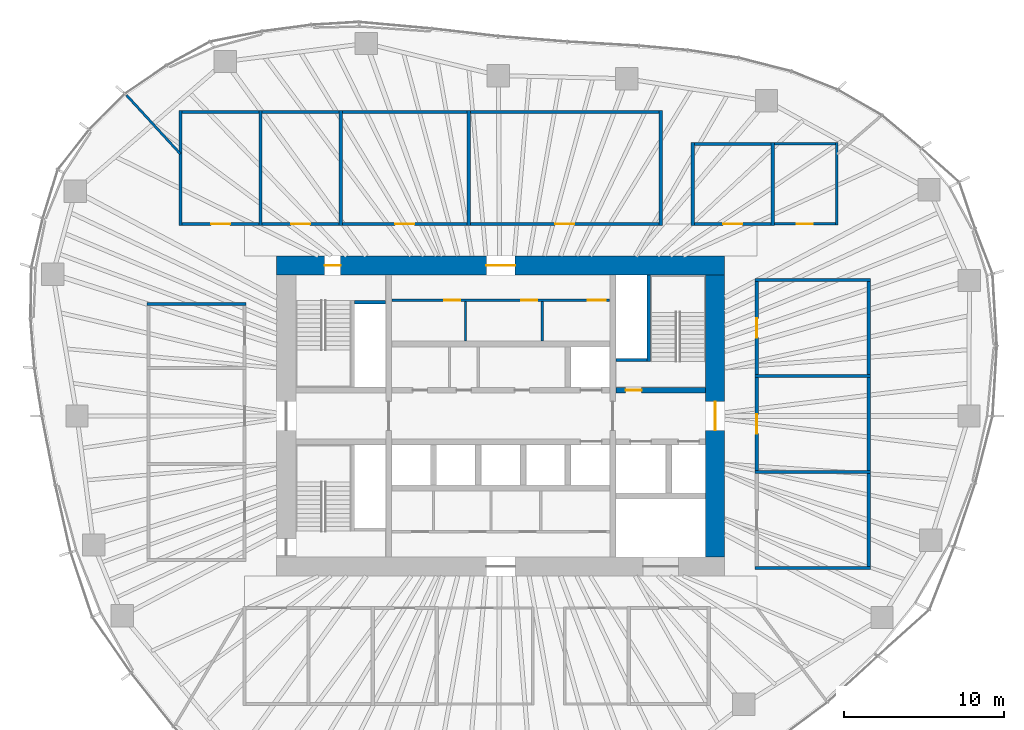
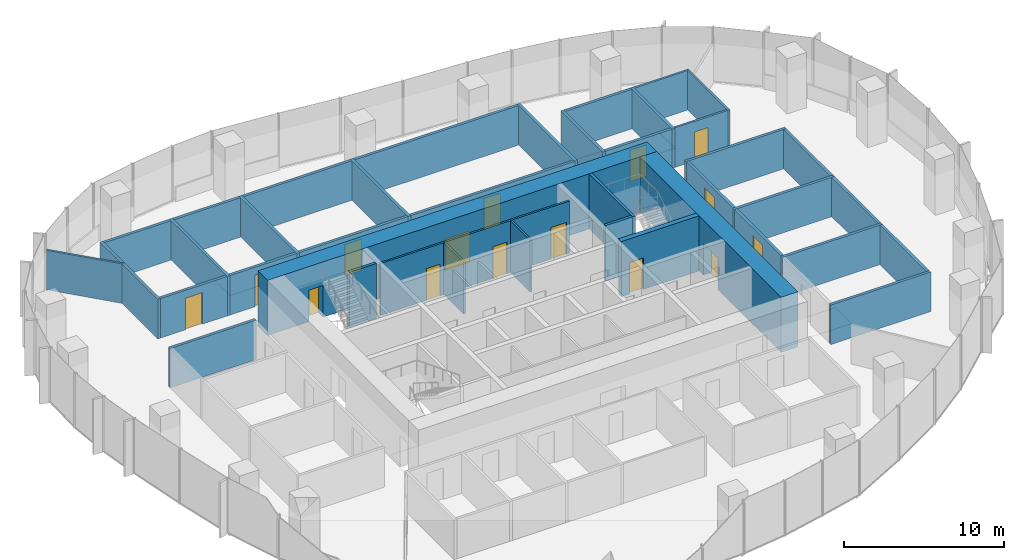
# One storey, part 10 of 18: 40 walls, 15 doors, 15 openings.
"""IFC4 building model written with IfcOpenShell, lengths in metres."""

from ifc_helpers import new_model, si_unit, direction, frame, frame_2d, origin, place, context, subcontext, project, spatial, rectangle, extrude, material, layer, layer_set, type_object, element, fill, save


model = new_model("IFC4")

# Units and contexts
model_context = context("Model", 3, precision=1e-05, world=origin(), true_north=direction((0.0, 1.0)))
body_context = subcontext(model_context, "Body", "Model", "MODEL_VIEW")
ifc_project = project(units=[si_unit("LENGTHUNIT", "METRE"), si_unit("AREAUNIT", "SQUARE_METRE"), si_unit("VOLUMEUNIT", "CUBIC_METRE"), si_unit("PLANEANGLEUNIT", "RADIAN"), si_unit("MASSUNIT", "GRAM", prefix="KILO")], contexts=[model_context])

# Site, building, storey
site_placement = place(None, origin())
site = spatial("IfcSite", under=ifc_project, at=site_placement, CompositionType="ELEMENT")
building_placement = place(site_placement, origin())
building = spatial("IfcBuilding", under=site, at=building_placement, Name="Ghaith Harvest Tower", CompositionType="ELEMENT")
storey_placement = place(building_placement, frame((0.0, 0.0, 180.60009765625)))
storey = spatial("IfcBuildingStorey", under=building, at=storey_placement, Name="L39", CompositionType="ELEMENT", Elevation=180.60009765625)

# Walls
ifc_material_1 = material(Name="Twin-stud gypsum board, acoustic", Category="gypsum")
ifc_layer_1 = layer(ifc_material_1, 0.199951171875)
ifc_layer_set_1 = layer_set([ifc_layer_1], Name="ACOUSTIC PARTITION 200")
wall_type_1 = type_object("IfcWallType", Name="ACOUSTIC PARTITION 200", PredefinedType="PARTITIONING", material=ifc_layer_set_1)
for number, where, z_axis, x_axis, name in (
    (1, (-20.0, 11.89990234375, 0.0), (0.0, 0.0, 1.0), (0.0, 1.0, 0.0), "Partition L39 row N1 cross wall 1"),
    (2, (-15.0, 11.89990234375, 0.0), (0.0, 0.0, 1.0), (0.0, 1.0, 0.0), "Partition L39 row N1 cross wall 2"),
    (3, (-10.0, 11.89990234375, 0.0), (0.0, 0.0, 1.0), (0.0, 1.0, 0.0), "Partition L39 row N1 cross wall 3"),
    (4, (-2.0, 11.89990234375, 0.0), (0.0, 0.0, 1.0), (0.0, 1.0, 0.0), "Partition L39 row N1 cross wall 4"),
    (5, (10.0, 11.89990234375, 0.0), (0.0, 0.0, 1.0), (0.0, 1.0, 0.0), "Partition L39 row N1 cross wall 5"),
):
    element("IfcWall", number, at=place(storey_placement, frame(where, z_axis=z_axis, x_axis=x_axis)), inside=storey, type_object=wall_type_1, Name=name, PredefinedType="PARTITIONING", context=body_context, shape_type="SweptSolid", body=[
        extrude(rectangle(XDim=7.2001953125, YDim=0.199951171875, at=frame_2d((3.60009765625, 0.0))), origin(), (0.0, 0.0, 1.0), 3.0),
    ])

# Wall, opening, door
wall_1_placement = place(storey_placement, frame((-19.89990234375, 12.0, 0.0), z_axis=(0.0, 0.0, 1.0), x_axis=(1.0, 0.0, 0.0)))
wall_1 = element("IfcWall", 6, at=wall_1_placement, inside=storey, type_object=wall_type_1, Name="Partition L39-01", PredefinedType="PARTITIONING", context=body_context, shape_type="SweptSolid", body=[
    extrude(rectangle(XDim=4.7998046875, YDim=0.199951171875, at=frame_2d((2.39990234375, 0.0))), origin(), (0.0, 0.0, 1.0), 3.0),
])
opening_1_placement = place(wall_1_placement, frame((1.800048828125, 0.0, 0.0)))
opening_1 = element("IfcOpeningElement", 7, at=opening_1_placement, cuts=wall_1, Name="Opening 39-025", PredefinedType="OPENING", context=body_context, shape_type="SweptSolid", body=[
    extrude(rectangle(XDim=1.199951171875, YDim=2.39990234375, at=frame_2d((0.60009765625, 1.199951171875))), frame((0.0, 0.10986328125, 0.0), z_axis=(0.0, -1.0, 0.0), x_axis=(1.0, 0.0, 0.0)), (0.0, 0.0, 1.0), 0.219970703125),
])
ifc_material_2 = material(Name="Timber door", Category="wood")
door_type_1 = type_object("IfcDoorType", Name="D11 GLAZED 1200x2400", OperationType="SINGLE_SWING_LEFT", PredefinedType="DOOR", material=ifc_material_2)
door_1_placement = place(opening_1_placement, origin())
door_1 = element("IfcDoor", 8, at=door_1_placement, inside=storey, type_object=door_type_1, Name="Meeting room door", OperationType="SINGLE_SWING_LEFT", OverallHeight=2.39990234375, OverallWidth=1.199951171875, PredefinedType="DOOR", context=body_context, shape_type="SweptSolid", body=[
    extrude(rectangle(XDim=1.199951171875, YDim=2.39990234375, at=frame_2d((0.60009765625, 1.199951171875))), frame((0.0, 0.02490234375, 0.0), z_axis=(0.0, -1.0, 0.0), x_axis=(1.0, 0.0, 0.0)), (0.0, 0.0, 1.0), 0.050048828125),
])
fill(opening_1, door_1)

# Wall
wall_2_placement = place(storey_placement, frame((-19.89990234375, 19.0, 0.0), z_axis=(0.0, 0.0, 1.0), x_axis=(1.0, 0.0, 0.0)))
element("IfcWall", 9, at=wall_2_placement, inside=storey, type_object=wall_type_1, Name="Partition L39-01", PredefinedType="PARTITIONING", context=body_context, shape_type="SweptSolid", body=[
    extrude(rectangle(XDim=4.7998046875, YDim=0.199951171875, at=frame_2d((2.39990234375, 0.0))), origin(), (0.0, 0.0, 1.0), 3.0),
])

# Wall, opening, door
wall_3_placement = place(storey_placement, frame((-14.89990234375, 12.0, 0.0), z_axis=(0.0, 0.0, 1.0), x_axis=(1.0, 0.0, 0.0)))
wall_3 = element("IfcWall", 10, at=wall_3_placement, inside=storey, type_object=wall_type_1, Name="Partition L39-02", PredefinedType="PARTITIONING", context=body_context, shape_type="SweptSolid", body=[
    extrude(rectangle(XDim=4.7998046875, YDim=0.199951171875, at=frame_2d((2.39990234375, 0.0))), origin(), (0.0, 0.0, 1.0), 3.0),
])
opening_2_placement = place(wall_3_placement, frame((1.800048828125, 0.0, 0.0)))
opening_2 = element("IfcOpeningElement", 11, at=opening_2_placement, cuts=wall_3, Name="Opening 39-026", PredefinedType="OPENING", context=body_context, shape_type="SweptSolid", body=[
    extrude(rectangle(XDim=1.199951171875, YDim=2.39990234375, at=frame_2d((0.60009765625, 1.199951171875))), frame((0.0, 0.10986328125, 0.0), z_axis=(0.0, -1.0, 0.0), x_axis=(1.0, 0.0, 0.0)), (0.0, 0.0, 1.0), 0.219970703125),
])
door_2_placement = place(opening_2_placement, origin())
door_2 = element("IfcDoor", 12, at=door_2_placement, inside=storey, type_object=door_type_1, Name="Meeting room door", OperationType="SINGLE_SWING_LEFT", OverallHeight=2.39990234375, OverallWidth=1.199951171875, PredefinedType="DOOR", context=body_context, shape_type="SweptSolid", body=[
    extrude(rectangle(XDim=1.199951171875, YDim=2.39990234375, at=frame_2d((0.60009765625, 1.199951171875))), frame((0.0, 0.02490234375, 0.0), z_axis=(0.0, -1.0, 0.0), x_axis=(1.0, 0.0, 0.0)), (0.0, 0.0, 1.0), 0.050048828125),
])
fill(opening_2, door_2)

# Wall
wall_4_placement = place(storey_placement, frame((-14.89990234375, 19.0, 0.0), z_axis=(0.0, 0.0, 1.0), x_axis=(1.0, 0.0, 0.0)))
element("IfcWall", 13, at=wall_4_placement, inside=storey, type_object=wall_type_1, Name="Partition L39-02", PredefinedType="PARTITIONING", context=body_context, shape_type="SweptSolid", body=[
    extrude(rectangle(XDim=4.7998046875, YDim=0.199951171875, at=frame_2d((2.39990234375, 0.0))), origin(), (0.0, 0.0, 1.0), 3.0),
])

# Wall, opening, door
wall_5_placement = place(storey_placement, frame((-9.89990234375, 12.0, 0.0), z_axis=(0.0, 0.0, 1.0), x_axis=(1.0, 0.0, 0.0)))
wall_5 = element("IfcWall", 14, at=wall_5_placement, inside=storey, type_object=wall_type_1, Name="Partition L39-03", PredefinedType="PARTITIONING", context=body_context, shape_type="SweptSolid", body=[
    extrude(rectangle(XDim=7.7998046875, YDim=0.199951171875, at=frame_2d((3.89990234375, 0.0))), origin(), (0.0, 0.0, 1.0), 3.0),
])
opening_3_placement = place(wall_5_placement, frame((3.300048828125, 0.0, 0.0)))
opening_3 = element("IfcOpeningElement", 15, at=opening_3_placement, cuts=wall_5, Name="Opening 39-027", PredefinedType="OPENING", context=body_context, shape_type="SweptSolid", body=[
    extrude(rectangle(XDim=1.199951171875, YDim=2.39990234375, at=frame_2d((0.60009765625, 1.199951171875))), frame((0.0, 0.10986328125, 0.0), z_axis=(0.0, -1.0, 0.0), x_axis=(1.0, 0.0, 0.0)), (0.0, 0.0, 1.0), 0.219970703125),
])
door_3_placement = place(opening_3_placement, origin())
door_3 = element("IfcDoor", 16, at=door_3_placement, inside=storey, type_object=door_type_1, Name="Meeting room door", OperationType="SINGLE_SWING_LEFT", OverallHeight=2.39990234375, OverallWidth=1.199951171875, PredefinedType="DOOR", context=body_context, shape_type="SweptSolid", body=[
    extrude(rectangle(XDim=1.199951171875, YDim=2.39990234375, at=frame_2d((0.60009765625, 1.199951171875))), frame((0.0, 0.02490234375, 0.0), z_axis=(0.0, -1.0, 0.0), x_axis=(1.0, 0.0, 0.0)), (0.0, 0.0, 1.0), 0.050048828125),
])
fill(opening_3, door_3)

# Wall
wall_6_placement = place(storey_placement, frame((-9.89990234375, 19.0, 0.0), z_axis=(0.0, 0.0, 1.0), x_axis=(1.0, 0.0, 0.0)))
element("IfcWall", 17, at=wall_6_placement, inside=storey, type_object=wall_type_1, Name="Partition L39-03", PredefinedType="PARTITIONING", context=body_context, shape_type="SweptSolid", body=[
    extrude(rectangle(XDim=7.7998046875, YDim=0.199951171875, at=frame_2d((3.89990234375, 0.0))), origin(), (0.0, 0.0, 1.0), 3.0),
])

# Wall, opening, door
wall_7_placement = place(storey_placement, frame((-1.89990234375, 12.0, 0.0), z_axis=(0.0, 0.0, 1.0), x_axis=(1.0, 0.0, 0.0)))
wall_7 = element("IfcWall", 18, at=wall_7_placement, inside=storey, type_object=wall_type_1, Name="Partition L39-04", PredefinedType="PARTITIONING", context=body_context, shape_type="SweptSolid", body=[
    extrude(rectangle(XDim=11.7998046875, YDim=0.199951171875, at=frame_2d((5.89990234375, 0.0))), origin(), (0.0, 0.0, 1.0), 3.0),
])
opening_4_placement = place(wall_7_placement, frame((5.300048828125, 0.0, 0.0)))
opening_4 = element("IfcOpeningElement", 19, at=opening_4_placement, cuts=wall_7, Name="Opening 39-028", PredefinedType="OPENING", context=body_context, shape_type="SweptSolid", body=[
    extrude(rectangle(XDim=1.199951171875, YDim=2.39990234375, at=frame_2d((0.60009765625, 1.199951171875))), frame((0.0, 0.10986328125, 0.0), z_axis=(0.0, -1.0, 0.0), x_axis=(1.0, 0.0, 0.0)), (0.0, 0.0, 1.0), 0.219970703125),
])
door_4_placement = place(opening_4_placement, origin())
door_4 = element("IfcDoor", 20, at=door_4_placement, inside=storey, type_object=door_type_1, Name="Boardroom door", OperationType="SINGLE_SWING_LEFT", OverallHeight=2.39990234375, OverallWidth=1.199951171875, PredefinedType="DOOR", context=body_context, shape_type="SweptSolid", body=[
    extrude(rectangle(XDim=1.199951171875, YDim=2.39990234375, at=frame_2d((0.60009765625, 1.199951171875))), frame((0.0, 0.02490234375, 0.0), z_axis=(0.0, -1.0, 0.0), x_axis=(1.0, 0.0, 0.0)), (0.0, 0.0, 1.0), 0.050048828125),
])
fill(opening_4, door_4)

# Walls
wall_8_placement = place(storey_placement, frame((-1.89990234375, 19.0, 0.0), z_axis=(0.0, 0.0, 1.0), x_axis=(1.0, 0.0, 0.0)))
element("IfcWall", 21, at=wall_8_placement, inside=storey, type_object=wall_type_1, Name="Partition L39-04", PredefinedType="PARTITIONING", context=body_context, shape_type="SweptSolid", body=[
    extrude(rectangle(XDim=11.7998046875, YDim=0.199951171875, at=frame_2d((5.89990234375, 0.0))), origin(), (0.0, 0.0, 1.0), 3.0),
])
for number, where, z_axis, x_axis, name in (
    (22, (15.89990234375, -9.5, 0.0), (0.0, 0.0, 1.0), (1.0, 0.0, 0.0), "Partition L39 row E2 cross wall 1"),
    (23, (15.89990234375, -3.5, 0.0), (0.0, 0.0, 1.0), (1.0, 0.0, 0.0), "Partition L39 row E2 cross wall 2"),
    (24, (15.89990234375, 2.5, 0.0), (0.0, 0.0, 1.0), (1.0, 0.0, 0.0), "Partition L39 row E2 cross wall 3"),
    (25, (15.89990234375, 8.5, 0.0), (0.0, 0.0, 1.0), (1.0, 0.0, 0.0), "Partition L39 row E2 cross wall 4"),
):
    element("IfcWall", number, at=place(storey_placement, frame(where, z_axis=z_axis, x_axis=x_axis)), inside=storey, type_object=wall_type_1, Name=name, PredefinedType="PARTITIONING", context=body_context, shape_type="SweptSolid", body=[
        extrude(rectangle(XDim=7.2001953125, YDim=0.199951171875, at=frame_2d((3.60009765625, 0.0))), origin(), (0.0, 0.0, 1.0), 3.0),
    ])
wall_9_placement = place(storey_placement, frame((23.0, -9.39990234375, 0.0), z_axis=(0.0, 0.0, 1.0), x_axis=(0.0, 1.0, 0.0)))
element("IfcWall", 26, at=wall_9_placement, inside=storey, type_object=wall_type_1, Name="Partition L39-05", PredefinedType="PARTITIONING", context=body_context, shape_type="SweptSolid", body=[
    extrude(rectangle(XDim=5.7998046875, YDim=0.199951171875, at=frame_2d((2.89990234375, 0.0))), origin(), (0.0, 0.0, 1.0), 3.0),
])

# Wall, opening, door
wall_10_placement = place(storey_placement, frame((16.0, -3.39990234375, 0.0), z_axis=(0.0, 0.0, 1.0), x_axis=(0.0, 1.0, 0.0)))
wall_10 = element("IfcWall", 27, at=wall_10_placement, inside=storey, type_object=wall_type_1, Name="Partition L39-06", PredefinedType="PARTITIONING", context=body_context, shape_type="SweptSolid", body=[
    extrude(rectangle(XDim=5.7998046875, YDim=0.199951171875, at=frame_2d((2.89990234375, 0.0))), origin(), (0.0, 0.0, 1.0), 3.0),
])
opening_5_placement = place(wall_10_placement, frame((2.300048828125, 0.0, 0.0)))
opening_5 = element("IfcOpeningElement", 28, at=opening_5_placement, cuts=wall_10, Name="Opening 39-030", PredefinedType="OPENING", context=body_context, shape_type="SweptSolid", body=[
    extrude(rectangle(XDim=1.199951171875, YDim=2.39990234375, at=frame_2d((0.60009765625, 1.199951171875))), frame((0.0, 0.10986328125, 0.0), z_axis=(0.0, -1.0, 0.0), x_axis=(1.0, 0.0, 0.0)), (0.0, 0.0, 1.0), 0.219970703125),
])
door_5_placement = place(opening_5_placement, origin())
door_5 = element("IfcDoor", 29, at=door_5_placement, inside=storey, type_object=door_type_1, Name="Meeting room door", OperationType="SINGLE_SWING_LEFT", OverallHeight=2.39990234375, OverallWidth=1.199951171875, PredefinedType="DOOR", context=body_context, shape_type="SweptSolid", body=[
    extrude(rectangle(XDim=1.199951171875, YDim=2.39990234375, at=frame_2d((0.60009765625, 1.199951171875))), frame((0.0, 0.02490234375, 0.0), z_axis=(0.0, -1.0, 0.0), x_axis=(1.0, 0.0, 0.0)), (0.0, 0.0, 1.0), 0.050048828125),
])
fill(opening_5, door_5)

# Wall
wall_11_placement = place(storey_placement, frame((23.0, -3.39990234375, 0.0), z_axis=(0.0, 0.0, 1.0), x_axis=(0.0, 1.0, 0.0)))
element("IfcWall", 30, at=wall_11_placement, inside=storey, type_object=wall_type_1, Name="Partition L39-06", PredefinedType="PARTITIONING", context=body_context, shape_type="SweptSolid", body=[
    extrude(rectangle(XDim=5.7998046875, YDim=0.199951171875, at=frame_2d((2.89990234375, 0.0))), origin(), (0.0, 0.0, 1.0), 3.0),
])

# Wall, opening, door
wall_12_placement = place(storey_placement, frame((16.0, 2.60009765625, 0.0), z_axis=(0.0, 0.0, 1.0), x_axis=(0.0, 1.0, 0.0)))
wall_12 = element("IfcWall", 31, at=wall_12_placement, inside=storey, type_object=wall_type_1, Name="Partition L39-07", PredefinedType="PARTITIONING", context=body_context, shape_type="SweptSolid", body=[
    extrude(rectangle(XDim=5.7998046875, YDim=0.199951171875, at=frame_2d((2.89990234375, 0.0))), origin(), (0.0, 0.0, 1.0), 3.0),
])
opening_6_placement = place(wall_12_placement, frame((2.300048828125, 0.0, 0.0)))
opening_6 = element("IfcOpeningElement", 32, at=opening_6_placement, cuts=wall_12, Name="Opening 39-031", PredefinedType="OPENING", context=body_context, shape_type="SweptSolid", body=[
    extrude(rectangle(XDim=1.199951171875, YDim=2.39990234375, at=frame_2d((0.60009765625, 1.199951171875))), frame((0.0, 0.10986328125, 0.0), z_axis=(0.0, -1.0, 0.0), x_axis=(1.0, 0.0, 0.0)), (0.0, 0.0, 1.0), 0.219970703125),
])
door_6_placement = place(opening_6_placement, origin())
door_6 = element("IfcDoor", 33, at=door_6_placement, inside=storey, type_object=door_type_1, Name="Meeting room door", OperationType="SINGLE_SWING_LEFT", OverallHeight=2.39990234375, OverallWidth=1.199951171875, PredefinedType="DOOR", context=body_context, shape_type="SweptSolid", body=[
    extrude(rectangle(XDim=1.199951171875, YDim=2.39990234375, at=frame_2d((0.60009765625, 1.199951171875))), frame((0.0, 0.02490234375, 0.0), z_axis=(0.0, -1.0, 0.0), x_axis=(1.0, 0.0, 0.0)), (0.0, 0.0, 1.0), 0.050048828125),
])
fill(opening_6, door_6)

# Walls
wall_13_placement = place(storey_placement, frame((23.0, 2.60009765625, 0.0), z_axis=(0.0, 0.0, 1.0), x_axis=(0.0, 1.0, 0.0)))
element("IfcWall", 34, at=wall_13_placement, inside=storey, type_object=wall_type_1, Name="Partition L39-07", PredefinedType="PARTITIONING", context=body_context, shape_type="SweptSolid", body=[
    extrude(rectangle(XDim=5.7998046875, YDim=0.199951171875, at=frame_2d((2.89990234375, 0.0))), origin(), (0.0, 0.0, 1.0), 3.0),
])
wall_14_placement = place(storey_placement, frame((-15.89990234375, 7.0, 0.0), z_axis=(0.0, 0.0, 1.0), x_axis=(-1.0, 0.0, 0.0)))
element("IfcWall", 35, at=wall_14_placement, inside=storey, type_object=wall_type_1, Name="Partition L39 row W5 cross wall 4", PredefinedType="PARTITIONING", context=body_context, shape_type="SweptSolid", body=[
    extrude(rectangle(XDim=6.2001953125, YDim=0.199951171875, at=frame_2d((3.10009765625, 0.0))), origin(), (0.0, 0.0, 1.0), 3.0),
])
for number, where, z_axis, x_axis, name in (
    (36, (12.0, 11.89990234375, 0.0), (0.0, 0.0, 1.0), (0.0, 1.0, 0.0), "Partition L39 row N6 cross wall 1"),
    (37, (17.0, 11.89990234375, 0.0), (0.0, 0.0, 1.0), (0.0, 1.0, 0.0), "Partition L39 row N6 cross wall 2"),
):
    element("IfcWall", number, at=place(storey_placement, frame(where, z_axis=z_axis, x_axis=x_axis)), inside=storey, type_object=wall_type_1, Name=name, PredefinedType="PARTITIONING", context=body_context, shape_type="SweptSolid", body=[
        extrude(rectangle(XDim=5.2001953125, YDim=0.199951171875, at=frame_2d((2.60009765625, 0.0))), origin(), (0.0, 0.0, 1.0), 3.0),
    ])

# Wall, opening, door
wall_15_placement = place(storey_placement, frame((12.10009765625, 12.0, 0.0), z_axis=(0.0, 0.0, 1.0), x_axis=(1.0, 0.0, 0.0)))
wall_15 = element("IfcWall", 38, at=wall_15_placement, inside=storey, type_object=wall_type_1, Name="Partition L39-17", PredefinedType="PARTITIONING", context=body_context, shape_type="SweptSolid", body=[
    extrude(rectangle(XDim=4.7998046875, YDim=0.199951171875, at=frame_2d((2.39990234375, 0.0))), origin(), (0.0, 0.0, 1.0), 3.0),
])
opening_7_placement = place(wall_15_placement, frame((1.800048828125, 0.0, 0.0)))
opening_7 = element("IfcOpeningElement", 39, at=opening_7_placement, cuts=wall_15, Name="Opening 39-041", PredefinedType="OPENING", context=body_context, shape_type="SweptSolid", body=[
    extrude(rectangle(XDim=1.199951171875, YDim=2.39990234375, at=frame_2d((0.60009765625, 1.199951171875))), frame((0.0, 0.10986328125, 0.0), z_axis=(0.0, -1.0, 0.0), x_axis=(1.0, 0.0, 0.0)), (0.0, 0.0, 1.0), 0.219970703125),
])
door_7_placement = place(opening_7_placement, origin())
door_7 = element("IfcDoor", 40, at=door_7_placement, inside=storey, type_object=door_type_1, Name="Meeting room door", OperationType="SINGLE_SWING_LEFT", OverallHeight=2.39990234375, OverallWidth=1.199951171875, PredefinedType="DOOR", context=body_context, shape_type="SweptSolid", body=[
    extrude(rectangle(XDim=1.199951171875, YDim=2.39990234375, at=frame_2d((0.60009765625, 1.199951171875))), frame((0.0, 0.02490234375, 0.0), z_axis=(0.0, -1.0, 0.0), x_axis=(1.0, 0.0, 0.0)), (0.0, 0.0, 1.0), 0.050048828125),
])
fill(opening_7, door_7)

# Wall
wall_16_placement = place(storey_placement, frame((12.10009765625, 17.0, 0.0), z_axis=(0.0, 0.0, 1.0), x_axis=(1.0, 0.0, 0.0)))
element("IfcWall", 41, at=wall_16_placement, inside=storey, type_object=wall_type_1, Name="Partition L39-17", PredefinedType="PARTITIONING", context=body_context, shape_type="SweptSolid", body=[
    extrude(rectangle(XDim=4.7998046875, YDim=0.199951171875, at=frame_2d((2.39990234375, 0.0))), origin(), (0.0, 0.0, 1.0), 3.0),
])

# Wall, openings, doors
ifc_material_3 = material(Name="Concrete blockwork, fair-faced", Category="masonry")
ifc_layer_2 = layer(ifc_material_3, 0.139892578125)
ifc_layer_set_2 = layer_set([ifc_layer_2], Name="CORE PARTITION 140")
wall_type_2 = type_object("IfcWallType", Name="CORE PARTITION 140", PredefinedType="PARTITIONING", material=ifc_layer_set_2)
wall_17_placement = place(storey_placement, frame((-6.800048828125, 7.22998046875, 0.0), z_axis=(0.0, 0.0, 1.0), x_axis=(1.0, 0.0, 0.0)))
wall_17 = element("IfcWall", 42, at=wall_17_placement, inside=storey, type_object=wall_type_2, Name="Core partition L39", PredefinedType="PARTITIONING", context=body_context, shape_type="SweptSolid", body=[
    extrude(rectangle(XDim=13.60009765625, YDim=0.139892578125, at=frame_2d((6.800048828125, 0.0))), origin(), (0.0, 0.0, 1.0), 3.949951171875),
])
opening_8_placement = place(wall_17_placement, frame((3.280029296875, 0.0, 0.0)))
opening_8 = element("IfcOpeningElement", 43, at=opening_8_placement, cuts=wall_17, Name="Opening 39-008", PredefinedType="OPENING", context=body_context, shape_type="SweptSolid", body=[
    extrude(rectangle(XDim=1.0, YDim=2.39990234375, at=frame_2d((0.5, 1.199951171875))), frame((0.0, 0.080078125, 0.0), z_axis=(0.0, -1.0, 0.0), x_axis=(1.0, 0.0, 0.0)), (0.0, 0.0, 1.0), 0.159912109375),
])
opening_9_placement = place(wall_17_placement, frame((8.080078125, 0.0, 0.0)))
opening_9 = element("IfcOpeningElement", 44, at=opening_9_placement, cuts=wall_17, Name="Opening 39-009", PredefinedType="OPENING", context=body_context, shape_type="SweptSolid", body=[
    extrude(rectangle(XDim=1.0, YDim=2.39990234375, at=frame_2d((0.5, 1.199951171875))), frame((0.0, 0.080078125, 0.0), z_axis=(0.0, -1.0, 0.0), x_axis=(1.0, 0.0, 0.0)), (0.0, 0.0, 1.0), 0.159912109375),
])
opening_10_placement = place(wall_17_placement, frame((12.25, 0.0, 0.0)))
opening_10 = element("IfcOpeningElement", 45, at=opening_10_placement, cuts=wall_17, Name="Opening 39-010", PredefinedType="OPENING", context=body_context, shape_type="SweptSolid", body=[
    extrude(rectangle(XDim=1.10009765625, YDim=2.39990234375, at=frame_2d((0.550048828125, 1.199951171875))), frame((0.0, 0.080078125, 0.0), z_axis=(0.0, -1.0, 0.0), x_axis=(1.0, 0.0, 0.0)), (0.0, 0.0, 1.0), 0.159912109375),
])
ifc_material_4 = material(Name="Steel fire door", Category="steel")
door_type_2 = type_object("IfcDoorType", Name="D3 FD90 1000x2400", OperationType="SINGLE_SWING_LEFT", PredefinedType="DOOR", material=ifc_material_4)
door_8_placement = place(opening_8_placement, origin())
door_8 = element("IfcDoor", 46, at=door_8_placement, inside=storey, type_object=door_type_2, Name="Female WC door", OperationType="SINGLE_SWING_LEFT", OverallHeight=2.39990234375, OverallWidth=1.0, PredefinedType="DOOR", context=body_context, shape_type="SweptSolid", body=[
    extrude(rectangle(XDim=1.0, YDim=2.39990234375, at=frame_2d((0.5, 1.199951171875))), frame((0.0, 0.02490234375, 0.0), z_axis=(0.0, -1.0, 0.0), x_axis=(1.0, 0.0, 0.0)), (0.0, 0.0, 1.0), 0.050048828125),
])
fill(opening_8, door_8)
door_9_placement = place(opening_9_placement, origin())
door_9 = element("IfcDoor", 47, at=door_9_placement, inside=storey, type_object=door_type_2, Name="Male WC door", OperationType="SINGLE_SWING_RIGHT", OverallHeight=2.39990234375, OverallWidth=1.0, PredefinedType="DOOR", context=body_context, shape_type="SweptSolid", body=[
    extrude(rectangle(XDim=1.0, YDim=2.39990234375, at=frame_2d((0.5, 1.199951171875))), frame((0.0, 0.02490234375, 0.0), z_axis=(0.0, -1.0, 0.0), x_axis=(1.0, 0.0, 0.0)), (0.0, 0.0, 1.0), 0.050048828125),
])
fill(opening_9, door_9)
ifc_material_5 = material(Name="Steel fire door", Category="steel")
door_type_3 = type_object("IfcDoorType", Name="D9 FD90 1100x2400", OperationType="SINGLE_SWING_LEFT", PredefinedType="DOOR", material=ifc_material_5)
door_10_placement = place(opening_10_placement, origin())
door_10 = element("IfcDoor", 48, at=door_10_placement, inside=storey, type_object=door_type_3, Name="Accessible WC door", OperationType="SINGLE_SWING_RIGHT", OverallHeight=2.39990234375, OverallWidth=1.10009765625, PredefinedType="DOOR", context=body_context, shape_type="SweptSolid", body=[
    extrude(rectangle(XDim=1.10009765625, YDim=2.39990234375, at=frame_2d((0.550048828125, 1.199951171875))), frame((0.0, 0.02490234375, 0.0), z_axis=(0.0, -1.0, 0.0), x_axis=(1.0, 0.0, 0.0)), (0.0, 0.0, 1.0), 0.050048828125),
])
fill(opening_10, door_10)

# Walls
for number, where, z_axis, x_axis, name in (
    (49, (-2.199951171875, 4.699951171875, 0.0), (0.0, 0.0, 1.0), (0.0, 1.0, 0.0), "Core partition L39"),
    (50, (2.60009765625, 4.699951171875, 0.0), (0.0, 0.0, 1.0), (0.0, 1.0, 0.0), "Core partition L39"),
):
    element("IfcWall", number, at=place(storey_placement, frame(where, z_axis=z_axis, x_axis=x_axis)), inside=storey, type_object=wall_type_2, Name=name, PredefinedType="PARTITIONING", context=body_context, shape_type="SweptSolid", body=[
        extrude(rectangle(XDim=2.4599609375, YDim=0.139892578125, at=frame_2d((1.22998046875, 0.0))), origin(), (0.0, 0.0, 1.0), 3.949951171875),
    ])

# Wall, openings, doors
ifc_material_6 = material(Name="Concrete C60/75", Category="concrete")
ifc_layer_3 = layer(ifc_material_6, 1.199951171875)
ifc_layer_set_3 = layer_set([ifc_layer_3], Name="CORE WALL CW1200 C60")
wall_type_3 = type_object("IfcWallType", Name="CORE WALL CW1200 C60", PredefinedType="SHEAR", material=ifc_layer_set_3)
wall_18_placement = place(storey_placement, frame((14.0, 9.39990234375, 0.0), z_axis=(0.0, 0.0, 1.0), x_axis=(-1.0, 0.0, 0.0)))
wall_18 = element("IfcWall", 51, at=wall_18_placement, inside=storey, type_object=wall_type_3, Name="Core wall N L39", PredefinedType="SHEAR", context=body_context, shape_type="SweptSolid", body=[
    extrude(rectangle(XDim=28.0, YDim=1.199951171875, at=frame_2d((14.0, 0.0))), origin(), (0.0, 0.0, 1.0), 4.199951171875),
])
opening_11_placement = place(wall_18_placement, frame((24.0, 0.0, 0.0)))
opening_11 = element("IfcOpeningElement", 52, at=opening_11_placement, cuts=wall_18, Name="Opening 39-005", PredefinedType="OPENING", context=body_context, shape_type="SweptSolid", body=[
    extrude(rectangle(XDim=1.0, YDim=2.39990234375, at=frame_2d((0.5, 1.199951171875))), frame((0.0, 0.60986328125, 0.0), z_axis=(0.0, -1.0, 0.0), x_axis=(1.0, 0.0, 0.0)), (0.0, 0.0, 1.0), 1.219970703125),
])
opening_12_placement = place(wall_18_placement, frame((13.10009765625, 0.0, 0.0)))
opening_12 = element("IfcOpeningElement", 53, at=opening_12_placement, cuts=wall_18, Name="Opening 39-018", PredefinedType="OPENING", context=body_context, shape_type="SweptSolid", body=[
    extrude(rectangle(XDim=1.800048828125, YDim=2.39990234375, at=frame_2d((0.89990234375, 1.199951171875))), frame((0.0, 0.60986328125, 0.0), z_axis=(0.0, -1.0, 0.0), x_axis=(1.0, 0.0, 0.0)), (0.0, 0.0, 1.0), 1.219970703125),
])
door_11_placement = place(opening_11_placement, origin())
door_11 = element("IfcDoor", 54, at=door_11_placement, inside=storey, type_object=door_type_2, Name="Stair ST1 door", OperationType="SINGLE_SWING_RIGHT", OverallHeight=2.39990234375, OverallWidth=1.0, PredefinedType="DOOR", context=body_context, shape_type="SweptSolid", body=[
    extrude(rectangle(XDim=1.0, YDim=2.39990234375, at=frame_2d((0.5, 1.199951171875))), frame((0.0, 0.02490234375, 0.0), z_axis=(0.0, -1.0, 0.0), x_axis=(1.0, 0.0, 0.0)), (0.0, 0.0, 1.0), 0.050048828125),
])
fill(opening_11, door_11)
ifc_material_7 = material(Name="Steel fire door", Category="steel")
door_type_4 = type_object("IfcDoorType", Name="D4 FD90 PAIR 1800x2400", OperationType="DOUBLE_DOOR_SINGLE_SWING", PredefinedType="DOOR", material=ifc_material_7)
door_12_placement = place(opening_12_placement, origin())
door_12 = element("IfcDoor", 55, at=door_12_placement, inside=storey, type_object=door_type_4, Name="Core service corridor doors", OperationType="DOUBLE_DOOR_SINGLE_SWING", OverallHeight=2.39990234375, OverallWidth=1.800048828125, PredefinedType="DOOR", context=body_context, shape_type="SweptSolid", body=[
    extrude(rectangle(XDim=1.800048828125, YDim=2.39990234375, at=frame_2d((0.89990234375, 1.199951171875))), frame((0.0, 0.02490234375, 0.0), z_axis=(0.0, -1.0, 0.0), x_axis=(1.0, 0.0, 0.0)), (0.0, 0.0, 1.0), 0.050048828125),
])
fill(opening_12, door_12)

# Wall, opening, door
wall_19_placement = place(storey_placement, frame((13.39990234375, -8.800048828125, 0.0), z_axis=(0.0, 0.0, 1.0), x_axis=(0.0, 1.0, 0.0)))
wall_19 = element("IfcWall", 56, at=wall_19_placement, inside=storey, type_object=wall_type_3, Name="Core wall E L39", PredefinedType="SHEAR", context=body_context, shape_type="SweptSolid", body=[
    extrude(rectangle(XDim=17.60009765625, YDim=1.199951171875, at=frame_2d((8.800048828125, 0.0))), origin(), (0.0, 0.0, 1.0), 4.199951171875),
])
opening_13_placement = place(wall_19_placement, frame((7.89990234375, 0.0, 0.0)))
opening_13 = element("IfcOpeningElement", 57, at=opening_13_placement, cuts=wall_19, Name="Opening 39-002", PredefinedType="OPENING", context=body_context, shape_type="SweptSolid", body=[
    extrude(rectangle(XDim=1.800048828125, YDim=2.39990234375, at=frame_2d((0.89990234375, 1.199951171875))), frame((0.0, 0.60986328125, 0.0), z_axis=(0.0, -1.0, 0.0), x_axis=(1.0, 0.0, 0.0)), (0.0, 0.0, 1.0), 1.219970703125),
])
door_13_placement = place(opening_13_placement, origin())
door_13 = element("IfcDoor", 58, at=door_13_placement, inside=storey, type_object=door_type_4, Name="Fire-fighting lobby doors", OperationType="DOUBLE_DOOR_SINGLE_SWING", OverallHeight=2.39990234375, OverallWidth=1.800048828125, PredefinedType="DOOR", context=body_context, shape_type="SweptSolid", body=[
    extrude(rectangle(XDim=1.800048828125, YDim=2.39990234375, at=frame_2d((0.89990234375, 1.199951171875))), frame((0.0, 0.02490234375, 0.0), z_axis=(0.0, -1.0, 0.0), x_axis=(1.0, 0.0, 0.0)), (0.0, 0.0, 1.0), 0.050048828125),
])
fill(opening_13, door_13)

# Wall
ifc_material_8 = material(Name="Gypsum board on steel studs", Category="steel")
ifc_layer_4 = layer(ifc_material_8, 0.14990234375)
ifc_layer_set_4 = layer_set([ifc_layer_4], Name="PARTITION 150")
wall_type_4 = type_object("IfcWallType", Name="PARTITION 150", PredefinedType="PARTITIONING", material=ifc_layer_set_4)
wall_20_placement = place(storey_placement, frame((21.0, 11.925048828125, 0.0), z_axis=(0.0, 0.0, 1.0), x_axis=(0.0, 1.0, 0.0)))
element("IfcWall", 59, at=wall_20_placement, inside=storey, type_object=wall_type_4, Name="Partition L39 row N6 cross wall 3", PredefinedType="PARTITIONING", context=body_context, shape_type="SweptSolid", body=[
    extrude(rectangle(XDim=5.14990234375, YDim=0.14990234375, at=frame_2d((2.574951171875, 0.0))), origin(), (0.0, 0.0, 1.0), 3.0),
])

# Wall, opening, door
wall_21_placement = place(storey_placement, frame((17.10009765625, 12.0, 0.0), z_axis=(0.0, 0.0, 1.0), x_axis=(1.0, 0.0, 0.0)))
wall_21 = element("IfcWall", 60, at=wall_21_placement, inside=storey, type_object=wall_type_4, Name="Partition L39-18", PredefinedType="PARTITIONING", context=body_context, shape_type="SweptSolid", body=[
    extrude(rectangle(XDim=3.824951171875, YDim=0.14990234375, at=frame_2d((1.91259765625, 0.0))), origin(), (0.0, 0.0, 1.0), 3.0),
])
opening_14_placement = place(wall_21_placement, frame((1.41259765625, 0.0, 0.0)))
opening_14 = element("IfcOpeningElement", 61, at=opening_14_placement, cuts=wall_21, Name="Opening 39-042", PredefinedType="OPENING", context=body_context, shape_type="SweptSolid", body=[
    extrude(rectangle(XDim=1.0, YDim=2.199951171875, at=frame_2d((0.5, 1.10009765625))), frame((0.0, 0.0849609375, 0.0), z_axis=(0.0, -1.0, 0.0), x_axis=(1.0, 0.0, 0.0)), (0.0, 0.0, 1.0), 0.169921875),
])
ifc_material_9 = material(Name="Timber door", Category="wood")
door_type_5 = type_object("IfcDoorType", Name="D1 SINGLE 1000x2200", OperationType="SINGLE_SWING_LEFT", PredefinedType="DOOR", material=ifc_material_9)
door_14_placement = place(opening_14_placement, origin())
door_14 = element("IfcDoor", 62, at=door_14_placement, inside=storey, type_object=door_type_5, Name="Store door", OperationType="SINGLE_SWING_LEFT", OverallHeight=2.199951171875, OverallWidth=1.0, PredefinedType="DOOR", context=body_context, shape_type="SweptSolid", body=[
    extrude(rectangle(XDim=1.0, YDim=2.199951171875, at=frame_2d((0.5, 1.10009765625))), frame((0.0, 0.02490234375, 0.0), z_axis=(0.0, -1.0, 0.0), x_axis=(1.0, 0.0, 0.0)), (0.0, 0.0, 1.0), 0.050048828125),
])
fill(opening_14, door_14)

# Walls
wall_22_placement = place(storey_placement, frame((17.10009765625, 17.0, 0.0), z_axis=(0.0, 0.0, 1.0), x_axis=(1.0, 0.0, 0.0)))
element("IfcWall", 63, at=wall_22_placement, inside=storey, type_object=wall_type_4, Name="Partition L39-18", PredefinedType="PARTITIONING", context=body_context, shape_type="SweptSolid", body=[
    extrude(rectangle(XDim=3.824951171875, YDim=0.14990234375, at=frame_2d((1.91259765625, 0.0))), origin(), (0.0, 0.0, 1.0), 3.0),
])
wall_23_placement = place(storey_placement, frame((-20.02001953125, 16.380126953125, 0.0), z_axis=(0.0, 0.0, 1.0), x_axis=(-0.676159982548, 0.736754828963, 0.0)))
element("IfcWall", 64, at=wall_23_placement, inside=storey, type_object=wall_type_4, Name="Partition L39 zone division", PredefinedType="PARTITIONING", context=body_context, shape_type="SweptSolid", body=[
    extrude(rectangle(XDim=4.975830078125, YDim=0.14990234375, at=frame_2d((2.48779296875, 0.0))), origin(), (0.0, 0.0, 1.0), 3.0),
])

# Wall, opening, door
ifc_material_10 = material(Name="Concrete C60/75", Category="concrete")
ifc_layer_5 = layer(ifc_material_10, 0.35009765625)
ifc_layer_set_5 = layer_set([ifc_layer_5], Name="SHAFT WALL 350")
wall_type_5 = type_object("IfcWallType", Name="SHAFT WALL 350", PredefinedType="SHEAR", material=ifc_layer_set_5)
wall_24_placement = place(storey_placement, frame((7.199951171875, 1.60009765625, 0.0), z_axis=(0.0, 0.0, 1.0), x_axis=(1.0, 0.0, 0.0)))
wall_24 = element("IfcWall", 65, at=wall_24_placement, inside=storey, type_object=wall_type_5, Name="Shaft wall EN L39", PredefinedType="SHEAR", context=body_context, shape_type="SweptSolid", body=[
    extrude(rectangle(XDim=5.60009765625, YDim=0.35009765625, at=frame_2d((2.800048828125, 0.0))), origin(), (0.0, 0.0, 1.0), 4.199951171875),
])
opening_15_placement = place(wall_24_placement, frame((0.60009765625, 0.0, 0.0)))
opening_15 = element("IfcOpeningElement", 66, at=opening_15_placement, cuts=wall_24, Name="Opening 39-007", PredefinedType="OPENING", context=body_context, shape_type="SweptSolid", body=[
    extrude(rectangle(XDim=1.0, YDim=2.39990234375, at=frame_2d((0.5, 1.199951171875))), frame((0.0, 0.18505859375, 0.0), z_axis=(0.0, -1.0, 0.0), x_axis=(1.0, 0.0, 0.0)), (0.0, 0.0, 1.0), 0.3701171875),
])
door_15_placement = place(opening_15_placement, origin())
door_15 = element("IfcDoor", 67, at=door_15_placement, inside=storey, type_object=door_type_2, Name="Stair ST2 door", OperationType="SINGLE_SWING_LEFT", OverallHeight=2.39990234375, OverallWidth=1.0, PredefinedType="DOOR", context=body_context, shape_type="SweptSolid", body=[
    extrude(rectangle(XDim=1.0, YDim=2.39990234375, at=frame_2d((0.5, 1.199951171875))), frame((0.0, 0.02490234375, 0.0), z_axis=(0.0, -1.0, 0.0), x_axis=(1.0, 0.0, 0.0)), (0.0, 0.0, 1.0), 0.050048828125),
])
fill(opening_15, door_15)

# Walls
ifc_material_11 = material(Name="Concrete C40/50", Category="concrete")
ifc_layer_6 = layer(ifc_material_11, 0.199951171875)
ifc_layer_set_6 = layer_set([ifc_layer_6], Name="STAIR SPINE WALL RC200")
wall_type_6 = type_object("IfcWallType", Name="STAIR SPINE WALL RC200", PredefinedType="SOLIDWALL", material=ifc_layer_set_6)
wall_25_placement = place(storey_placement, frame((-9.14990234375, 7.10009765625, 0.0), z_axis=(0.0, 0.0, 1.0), x_axis=(1.0, 0.0, 0.0)))
element("IfcWall", 68, at=wall_25_placement, inside=storey, type_object=wall_type_6, Name="Stair ST1 spine wall return L39", PredefinedType="SOLIDWALL", context=body_context, shape_type="SweptSolid", body=[
    extrude(rectangle(XDim=1.949951171875, YDim=0.199951171875, at=frame_2d((0.97509765625, 0.0))), origin(), (0.0, 0.0, 1.0), 4.199951171875),
])
wall_26_placement = place(storey_placement, frame((9.25, 3.39990234375, 0.0), z_axis=(0.0, 0.0, 1.0), x_axis=(0.0, 1.0, 0.0)))
element("IfcWall", 69, at=wall_26_placement, inside=storey, type_object=wall_type_6, Name="Stair ST2 spine wall L39", PredefinedType="SOLIDWALL", context=body_context, shape_type="SweptSolid", body=[
    extrude(rectangle(XDim=5.400146484375, YDim=0.199951171875, at=frame_2d((2.7001953125, 0.0))), origin(), (0.0, 0.0, 1.0), 4.199951171875),
])
wall_27_placement = place(storey_placement, frame((9.14990234375, 3.5, 0.0), z_axis=(0.0, 0.0, 1.0), x_axis=(-1.0, 0.0, 0.0)))
element("IfcWall", 70, at=wall_27_placement, inside=storey, type_object=wall_type_6, Name="Stair ST2 spine wall return L39", PredefinedType="SOLIDWALL", context=body_context, shape_type="SweptSolid", body=[
    extrude(rectangle(XDim=1.949951171875, YDim=0.199951171875, at=frame_2d((0.97509765625, 0.0))), origin(), (0.0, 0.0, 1.0), 4.199951171875),
])

save(model, "model.ifc")
